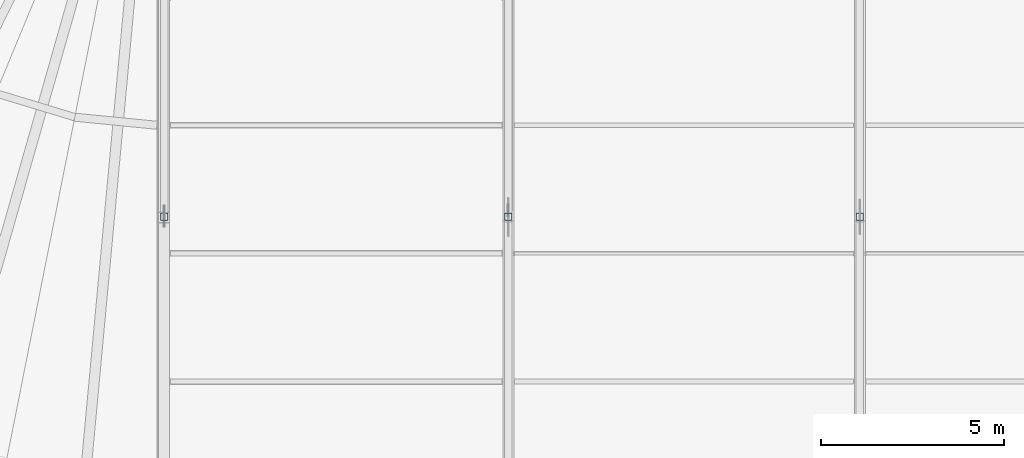
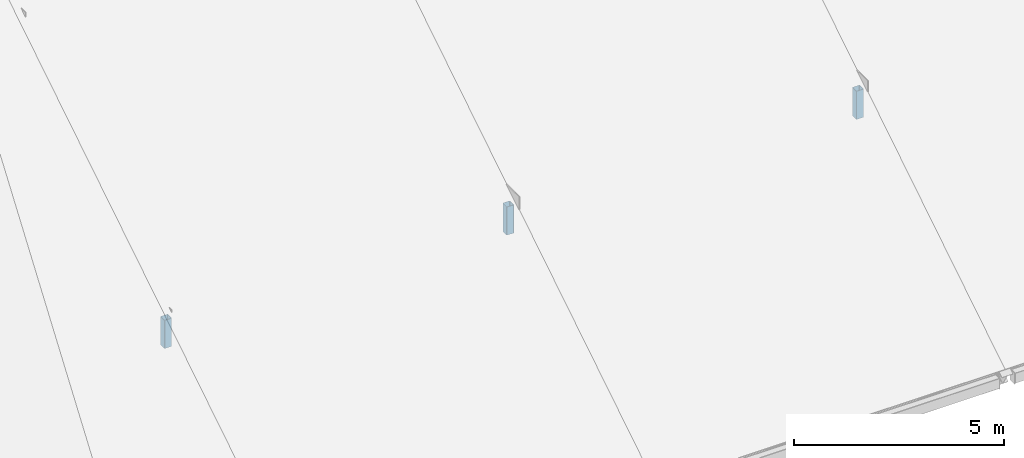
# One storey, part 19 of 66: 3 members.
"""IFC4 building model written with IfcOpenShell, lengths in metres."""

from ifc_helpers import new_model, si_unit, direction, frame, origin, origin_2d, place, context, subcontext, project, spatial, hollow_rectangle, extrude, material, material_profile, profile_set, type_object, element, save


model = new_model("IFC4")

# Units and contexts
model_context = context("Model", 3, precision=1e-05, world=origin(), true_north=direction((0.0, 1.0)))
body_context = subcontext(model_context, "Body", "Model", "MODEL_VIEW")
ifc_project = project(units=[si_unit("LENGTHUNIT", "METRE"), si_unit("AREAUNIT", "SQUARE_METRE"), si_unit("VOLUMEUNIT", "CUBIC_METRE"), si_unit("PLANEANGLEUNIT", "RADIAN"), si_unit("MASSUNIT", "GRAM", prefix="KILO")], contexts=[model_context])

# Site, building, storey
site_placement = place(None, origin())
site = spatial("IfcSite", under=ifc_project, at=site_placement, CompositionType="ELEMENT")
building_placement = place(site_placement, origin())
building = spatial("IfcBuilding", under=site, at=building_placement, Name="Yeouljin Market Hall", CompositionType="ELEMENT")
storey_placement = place(building_placement, frame((0.0, 0.0, 23.39990234375)))
storey = spatial("IfcBuildingStorey", under=building, at=storey_placement, Name="RF", CompositionType="ELEMENT", Elevation=23.39990234375)

# Members
ifc_material = material(Name="Steel SM355", Category="steel")
ifc_material_profile = material_profile(ifc_material, hollow_rectangle(XDim=0.199951171875, YDim=0.199951171875, WallThickness=0.008056640625, InnerFilletRadius=0.008056640625, OuterFilletRadius=0.01611328125, at=origin_2d()), Name="SHS-200x200x8")
ifc_profile_set = profile_set([ifc_material_profile], Name="Steel SM355")
member_type = type_object("IfcMemberType", Name="Strut_SHS-200x200x8", PredefinedType="STRUT", material=ifc_profile_set)
for number, where, z_axis, x_axis, name in (
    (1, (35.60009765625, 43.0, -8.897705078125), (0.0, 0.0, 1.0), (1.0, 0.0, 0.0), "Truss AT-01 vertical strut 1"),
    (2, (45.0, 43.0, -8.897705078125), (0.0, 0.0, 1.0), (1.0, 0.0, 0.0), "Truss AT-02 vertical strut 1"),
    (3, (54.60009765625, 43.0, -8.897705078125), (0.0, 0.0, 1.0), (1.0, 0.0, 0.0), "Truss AT-03 vertical strut 1"),
):
    element("IfcMember", number, at=place(storey_placement, frame(where, z_axis=z_axis, x_axis=x_axis)), inside=storey, type_object=member_type, Name=name, PredefinedType="STRUT", context=body_context, shape_type="SweptSolid", body=[
        extrude(hollow_rectangle(XDim=0.199951171875, YDim=0.199951171875, WallThickness=0.008056640625, InnerFilletRadius=0.008056640625, OuterFilletRadius=0.01611328125, at=origin_2d()), origin(), (0.0, 0.0, 1.0), 0.81787109375),
    ])

save(model, "model.ifc")
